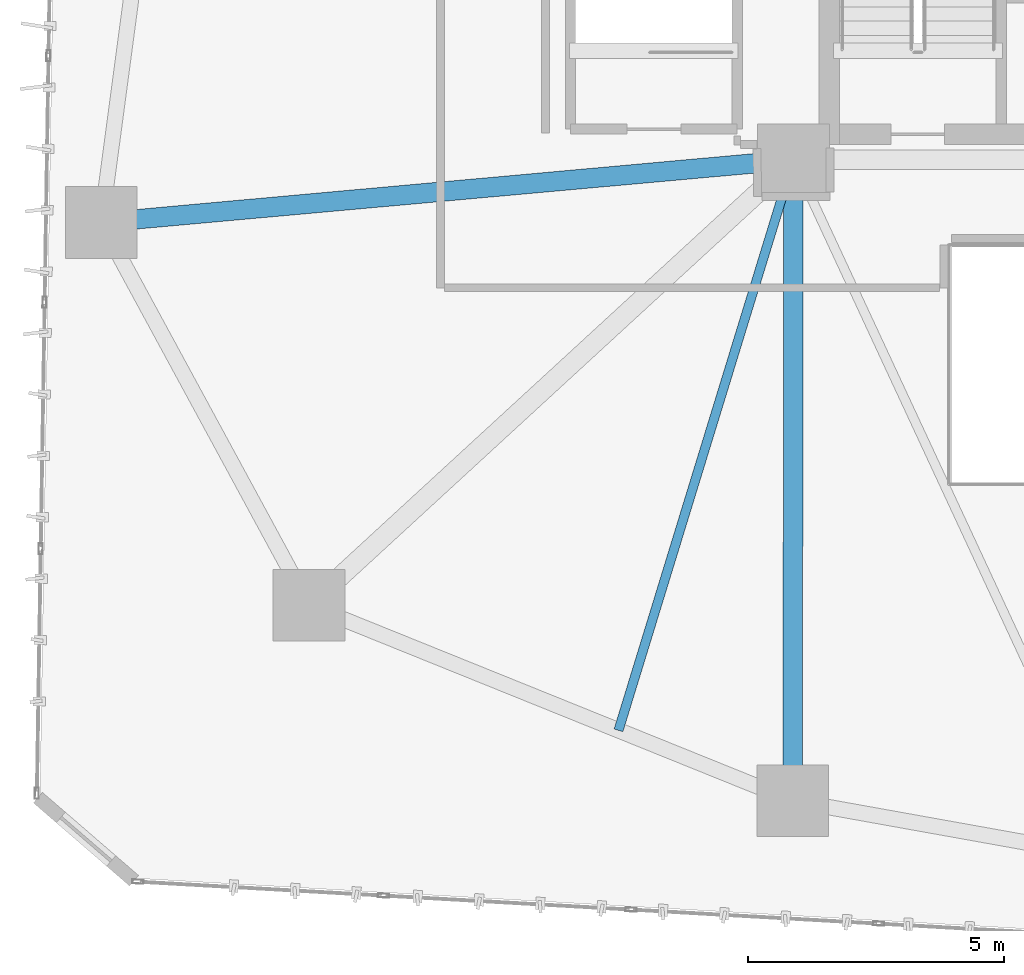
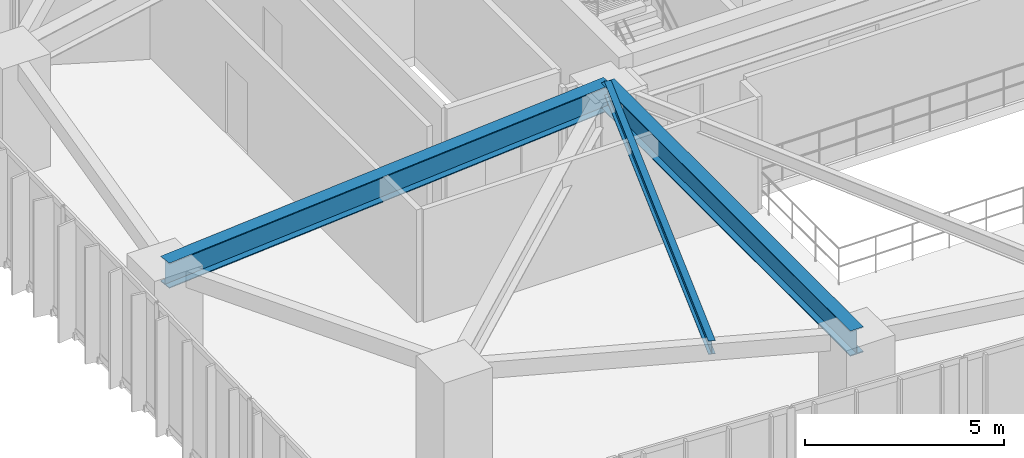
# One storey, part 4 of 24: 3 beams.
"""IFC4 building model written with IfcOpenShell, lengths in metres."""

from ifc_helpers import new_model, si_unit, direction, frame, origin, origin_2d, place, context, subcontext, project, spatial, i_section, extrude, material, material_profile, profile_set, type_object, element, save


model = new_model("IFC4")

# Units and contexts
model_context = context("Model", 3, precision=1e-05, world=origin(), true_north=direction((0.0, 1.0)))
body_context = subcontext(model_context, "Body", "Model", "MODEL_VIEW")
ifc_project = project(units=[si_unit("LENGTHUNIT", "METRE"), si_unit("AREAUNIT", "SQUARE_METRE"), si_unit("VOLUMEUNIT", "CUBIC_METRE"), si_unit("PLANEANGLEUNIT", "RADIAN"), si_unit("MASSUNIT", "GRAM", prefix="KILO")], contexts=[model_context])

# Site, building, storey
site_placement = place(None, origin())
site = spatial("IfcSite", under=ifc_project, at=site_placement, CompositionType="ELEMENT")
building_placement = place(site_placement, origin())
building = spatial("IfcBuilding", under=site, at=building_placement, Name="Talar Marvaseh", CompositionType="ELEMENT")
storey_placement = place(building_placement, frame((0.0, 0.0, 81.0)))
storey = spatial("IfcBuildingStorey", under=building, at=storey_placement, Name="L20", CompositionType="ELEMENT", Elevation=81.0)

# Beams
ifc_material = material(Name="Steel S355", Category="steel")
ifc_material_profile_1 = material_profile(ifc_material, i_section(OverallWidth=0.381103515625, OverallDepth=0.77294921875, WebThickness=0.0166015625, FlangeThickness=0.027099609375, at=origin_2d()), Name="W760x257")
ifc_profile_set_1 = profile_set([ifc_material_profile_1], Name="Steel S355")
beam_type_1 = type_object("IfcBeamType", Name="Zone 1 Radial Floor Girder W760x257", PredefinedType="BEAM", material=ifc_profile_set_1)
beam_1_placement = place(storey_placement, frame((18.68310546875, 12.97900390625, 3.0634765625), z_axis=(0.001345395187, 0.999999094955, 0.0), x_axis=(-0.999999094955, 0.001345395187, 0.0)))
element("IfcBeam", 1, at=beam_1_placement, inside=storey, type_object=beam_type_1, Name="L20 Zone 1 Radial Floor Girder W760x257", PredefinedType="BEAM", context=body_context, shape_type="SweptSolid", body=[
    extrude(i_section(OverallWidth=0.381103515625, OverallDepth=0.77294921875, WebThickness=0.0166015625, FlangeThickness=0.027099609375, at=origin_2d()), origin(), (0.0, 0.0, 1.0), 12.52099609375),
])
beam_2_placement = place(storey_placement, frame((5.175048828125, 24.27587890625, 3.0634765625), z_axis=(0.995929083348, 0.090140229321, 0.0), x_axis=(-0.090140229321, 0.995929083348, 0.0)))
element("IfcBeam", 2, at=beam_2_placement, inside=storey, type_object=beam_type_1, Name="L20 Zone 1 Radial Floor Girder W760x257", PredefinedType="BEAM", context=body_context, shape_type="SweptSolid", body=[
    extrude(i_section(OverallWidth=0.381103515625, OverallDepth=0.77294921875, WebThickness=0.0166015625, FlangeThickness=0.027099609375, at=origin_2d()), origin(), (0.0, 0.0, 1.0), 13.580078125),
])
ifc_material_profile_2 = material_profile(ifc_material, i_section(OverallWidth=0.179931640625, OverallDepth=0.4130859375, WebThickness=0.009765625, FlangeThickness=0.01611328125, at=origin_2d()), Name="W410x75")
ifc_profile_set_2 = profile_set([ifc_material_profile_2], Name="Steel S355")
beam_type_2 = type_object("IfcBeamType", Name="Zone 1 Secondary Floor Joist W410x75", PredefinedType="JOIST", material=ifc_profile_set_2)
beam_3_placement = place(storey_placement, frame((15.280517578125, 14.35302734375, 3.243408203125), z_axis=(0.293270595159, 0.956029475495, 0.0), x_axis=(-0.956029475495, 0.293270595159, 0.0)))
element("IfcBeam", 3, at=beam_3_placement, inside=storey, type_object=beam_type_2, Name="L20 Zone 1 Secondary Floor Joist W410x75", PredefinedType="JOIST", context=body_context, shape_type="SweptSolid", body=[
    extrude(i_section(OverallWidth=0.179931640625, OverallDepth=0.4130859375, WebThickness=0.009765625, FlangeThickness=0.01611328125, at=origin_2d()), origin(), (0.0, 0.0, 1.0), 11.65966796875),
])

save(model, "model.ifc")
